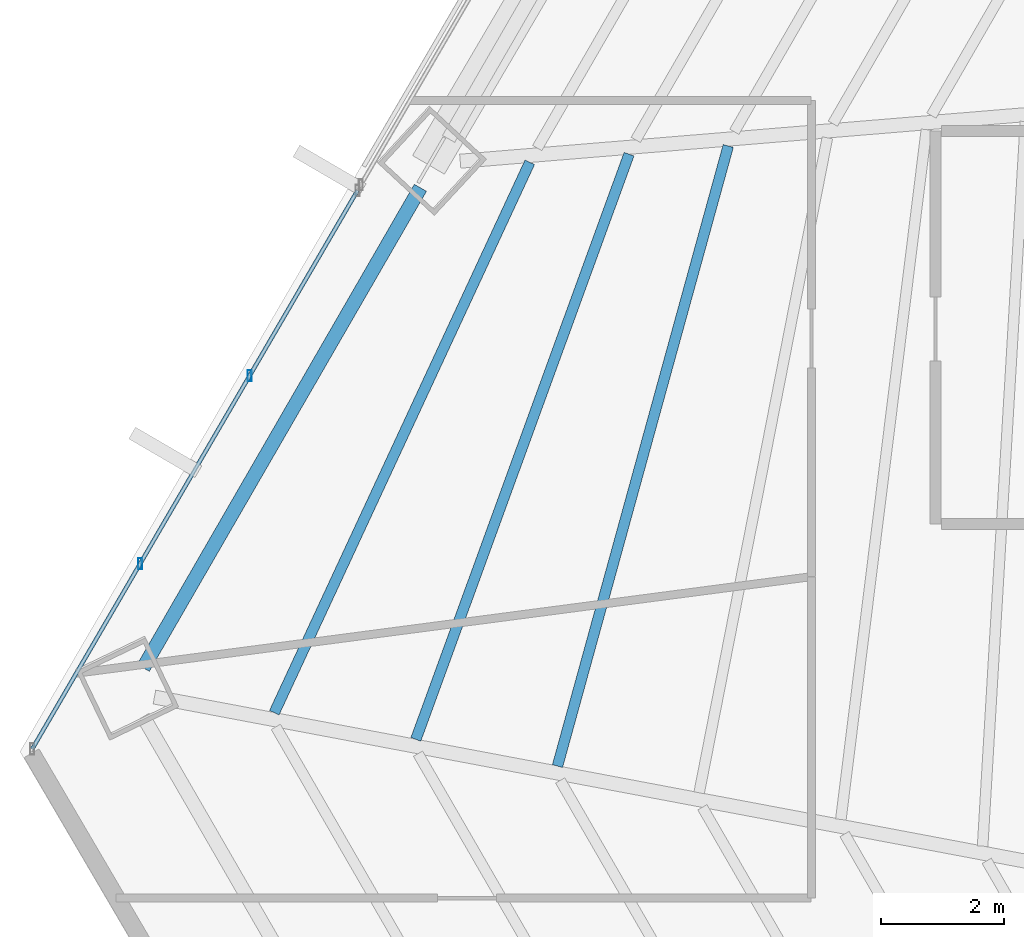
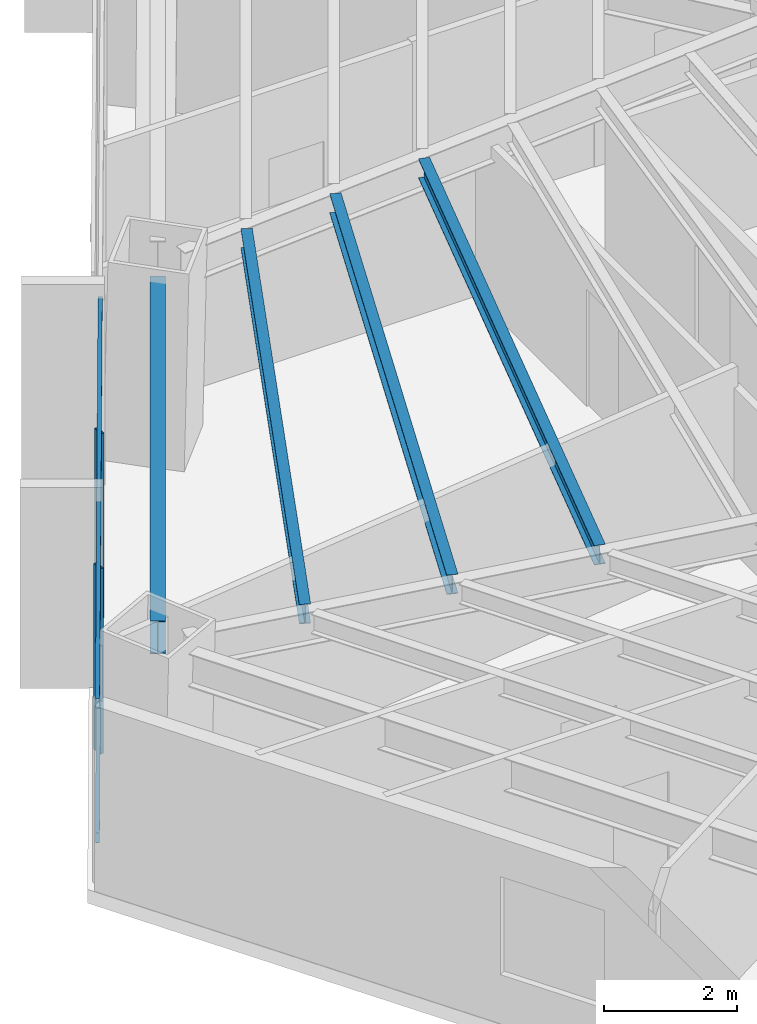
# One storey, part 11 of 37: 4 beams, 4 members, 1 element without a shape of its own.
"""IFC4 building model written with IfcOpenShell, lengths in metres."""

from ifc_helpers import new_model, si_unit, direction, frame, origin, origin_2d, place, context, subcontext, project, spatial, hollow_rectangle, i_section, extrude, source, transform, mapped, material, material_profile, profile_set, type_object, type_shapes, element, aggregate, save


model = new_model("IFC4")

# Units and contexts
model_context = context("Model", 3, precision=1e-05, world=origin(), true_north=direction((0.0, 1.0)))
body_context = subcontext(model_context, "Body", "Model", "MODEL_VIEW")
ifc_project = project(units=[si_unit("LENGTHUNIT", "METRE"), si_unit("AREAUNIT", "SQUARE_METRE"), si_unit("VOLUMEUNIT", "CUBIC_METRE"), si_unit("PLANEANGLEUNIT", "RADIAN"), si_unit("MASSUNIT", "GRAM", prefix="KILO")], contexts=[model_context])

# Site, building, storey
site_placement = place(None, origin())
site = spatial("IfcSite", under=ifc_project, at=site_placement, CompositionType="ELEMENT")
building_placement = place(site_placement, origin())
building = spatial("IfcBuilding", under=site, at=building_placement, Name="Caelisora Broadcast Tower", CompositionType="ELEMENT")
storey_placement = place(building_placement, frame((0.0, 0.0, 45.85009765625)))
storey = spatial("IfcBuildingStorey", under=building, at=storey_placement, Name="L11", CompositionType="ELEMENT", Elevation=45.85009765625)

# Beams
ifc_material_1 = material(Name="Steel Grade 350 (AS/NZS 3679.1)", Category="steel")
ifc_material_profile_1 = material_profile(ifc_material_1, i_section(OverallWidth=0.22900390625, OverallDepth=0.611572265625, WebThickness=0.011962890625, FlangeThickness=0.01953125, at=origin_2d()), Name="Steel Grade 350 (AS/NZS 3679.1)")
ifc_profile_set_1 = profile_set([ifc_material_profile_1], Name="Steel Grade 350 (AS/NZS 3679.1)")
beam_type_1 = type_object("IfcBeamType", Name="PG03", PredefinedType="BEAM", material=ifc_profile_set_1)
shared_shape_1 = source(origin(), body_context, "Body", "SweptSolid", [
    extrude(i_section(OverallWidth=0.22900390625, OverallDepth=0.611572265625, WebThickness=0.011962890625, FlangeThickness=0.01953125, at=origin_2d()), origin(), (0.0, 0.0, 1.0), 9.031494140625),
])
type_shapes(beam_type_1, [shared_shape_1])
beam_1_placement = place(storey_placement, frame((19.030029296875, 28.675537109375, 3.093994140625), z_axis=(-0.499988432032, -0.866032082451, 0.0), x_axis=(0.866032082451, -0.499988432032, 0.0)))
element("IfcBeam", 1, at=beam_1_placement, inside=storey, type_object=beam_type_1, Name="L11 beam PG03", PredefinedType="BEAM", context=body_context, shape_type="MappedRepresentation", body=[
    mapped(shared_shape_1, transform((0.0, 0.0, 0.0), scale=1.0)),
])
ifc_material_profile_2 = material_profile(ifc_material_1, i_section(OverallWidth=0.172119140625, OverallDepth=0.358642578125, WebThickness=0.008056640625, FlangeThickness=0.012939453125, at=origin_2d()), Name="Steel Grade 350 (AS/NZS 3679.1)")
ifc_profile_set_2 = profile_set([ifc_material_profile_2], Name="Steel Grade 350 (AS/NZS 3679.1)")
beam_type_2 = type_object("IfcBeamType", Name="SB02", PredefinedType="JOIST", material=ifc_profile_set_2)
shared_shape_2 = source(origin(), body_context, "Body", "SweptSolid", [
    extrude(i_section(OverallWidth=0.172119140625, OverallDepth=0.358642578125, WebThickness=0.008056640625, FlangeThickness=0.012939453125, at=origin_2d()), origin(), (0.0, 0.0, 1.0), 10.4794921875),
])
beam_2_placement = place(storey_placement, frame((24.0458984375, 29.356689453125, 3.220703125), z_axis=(-0.265517631178, -0.964106004303, 0.0), x_axis=(0.964106004303, -0.265517631178, 0.0)))
element("IfcBeam", 2, at=beam_2_placement, inside=storey, type_object=beam_type_2, Name="L11 beam SB02", PredefinedType="JOIST", context=body_context, shape_type="MappedRepresentation", body=[
    mapped(shared_shape_2, transform((0.0, 0.0, 0.0), scale=1.0)),
])
shared_shape_3 = source(origin(), body_context, "Body", "SweptSolid", [
    extrude(i_section(OverallWidth=0.172119140625, OverallDepth=0.358642578125, WebThickness=0.008056640625, FlangeThickness=0.012939453125, at=origin_2d()), origin(), (0.0, 0.0, 1.0), 10.148193359375),
])
beam_3_placement = place(storey_placement, frame((22.4296875, 29.223388671875, 3.220703125), z_axis=(-0.342312827142, -0.939586040964, 0.0), x_axis=(0.939586040964, -0.342312827142, 0.0)))
element("IfcBeam", 3, at=beam_3_placement, inside=storey, type_object=beam_type_2, Name="L11 beam SB02", PredefinedType="JOIST", context=body_context, shape_type="MappedRepresentation", body=[
    mapped(shared_shape_3, transform((0.0, 0.0, 0.0), scale=1.0)),
])
shared_shape_4 = source(origin(), body_context, "Body", "SweptSolid", [
    extrude(i_section(OverallWidth=0.172119140625, OverallDepth=0.358642578125, WebThickness=0.008056640625, FlangeThickness=0.012939453125, at=origin_2d()), origin(), (0.0, 0.0, 1.0), 9.88623046875),
])
type_shapes(beam_type_2, [shared_shape_2, shared_shape_3, shared_shape_4])
beam_4_placement = place(storey_placement, frame((20.81201171875, 29.090087890625, 3.220703125), z_axis=(-0.421075753513, -0.907025473624, 0.0), x_axis=(0.907025473624, -0.421075753513, 0.0)))
element("IfcBeam", 4, at=beam_4_placement, inside=storey, type_object=beam_type_2, Name="L11 beam SB02", PredefinedType="JOIST", context=body_context, shape_type="MappedRepresentation", body=[
    mapped(shared_shape_4, transform((0.0, 0.0, 0.0), scale=1.0)),
])

# Curtain wall, members
ifc_material_2 = material(Name="Unitised Aluminium and Low-E Glass Curtain Wall", Category="glass")
curtain_wall_type = type_object("IfcCurtainWallType", Name="CW-Z1", PredefinedType="NOTDEFINED", material=ifc_material_2)
curtain_wall_placement = place(storey_placement, origin())
curtain_wall = element("IfcCurtainWall", 5, at=curtain_wall_placement, inside=storey, type_object=curtain_wall_type, Name="L11 curtain wall CW-Z1", PredefinedType="NOTDEFINED")
ifc_material_3 = material(Name="Aluminium 6063-T6 Anodised Terracotta Bronze", Category="aluminium")
ifc_material_profile_3 = material_profile(ifc_material_3, hollow_rectangle(XDim=0.06494140625, YDim=0.179931640625, WallThickness=0.00341796875, at=origin_2d()), Name="Aluminium 6063-T6 Anodised Terracotta Bronze")
ifc_profile_set_3 = profile_set([ifc_material_profile_3], Name="Aluminium 6063-T6 Anodised Terracotta Bronze")
member_type_1 = type_object("IfcMemberType", Name="CWM-02", PredefinedType="MULLION", material=ifc_profile_set_3)
shared_shape_5 = source(origin(), body_context, "Body", "SweptSolid", [
    extrude(hollow_rectangle(XDim=0.06494140625, YDim=0.179931640625, WallThickness=0.00341796875, at=origin_2d()), origin(), (0.0, 0.0, 1.0), 3.39990234375),
])
type_shapes(member_type_1, [shared_shape_5])
member_1_placement = place(storey_placement, frame((14.463623046875, 22.55029296875, 0.0), z_axis=(0.0, 0.0, 1.0), x_axis=(1.0, 0.0, 0.0)))
member_1 = element("IfcMember", 6, at=member_1_placement, type_object=member_type_1, Name="L11-CW-B09 mullion #1", PredefinedType="MULLION", context=body_context, shape_type="MappedRepresentation", body=[
    mapped(shared_shape_5, transform((0.0, 0.0, 0.0), scale=1.0)),
])
member_2_placement = place(storey_placement, frame((16.247314453125, 25.6123046875, 0.0), z_axis=(0.0, 0.0, 1.0), x_axis=(1.0, 0.0, 0.0)))
member_2 = element("IfcMember", 7, at=member_2_placement, type_object=member_type_1, Name="L11-CW-B09 mullion #2", PredefinedType="MULLION", context=body_context, shape_type="MappedRepresentation", body=[
    mapped(shared_shape_5, transform((0.0, 0.0, 0.0), scale=1.0)),
])
ifc_material_profile_4 = material_profile(ifc_material_3, hollow_rectangle(XDim=0.06494140625, YDim=0.179931640625, WallThickness=0.00341796875, at=origin_2d()), Name="Aluminium 6063-T6 Anodised Terracotta Bronze")
ifc_profile_set_4 = profile_set([ifc_material_profile_4], Name="Aluminium 6063-T6 Anodised Terracotta Bronze")
member_type_2 = type_object("IfcMemberType", Name="CWT-01", PredefinedType="USERDEFINED", material=ifc_profile_set_4)
shared_shape_6 = source(origin(), body_context, "Body", "SweptSolid", [
    extrude(hollow_rectangle(XDim=0.06494140625, YDim=0.179931640625, WallThickness=0.00341796875, at=origin_2d()), origin(), (0.0, 0.0, 1.0), 10.53125),
])
type_shapes(member_type_2, [shared_shape_6])
member_3_placement = place(storey_placement, frame((12.705078125, 19.53125, 0.849853515625), z_axis=(0.503314541789, 0.864103276249, 0.0), x_axis=(-0.864103276249, 0.503314541789, 0.0)))
member_3 = element("IfcMember", 8, at=member_3_placement, type_object=member_type_2, Name="L11-CW-B09 transom #1", ObjectType="TRANSOM", PredefinedType="USERDEFINED", context=body_context, shape_type="MappedRepresentation", body=[
    mapped(shared_shape_6, transform((0.0, 0.0, 0.0), scale=1.0)),
])
member_4_placement = place(storey_placement, frame((12.705078125, 19.53125, 3.31982421875), z_axis=(0.503314541789, 0.864103276249, 0.0), x_axis=(-0.864103276249, 0.503314541789, 0.0)))
member_4 = element("IfcMember", 9, at=member_4_placement, type_object=member_type_2, Name="L11-CW-B09 transom #2", ObjectType="TRANSOM", PredefinedType="USERDEFINED", context=body_context, shape_type="MappedRepresentation", body=[
    mapped(shared_shape_6, transform((0.0, 0.0, 0.0), scale=1.0)),
])
aggregate(curtain_wall, [member_1, member_2, member_3, member_4])

save(model, "model.ifc")
